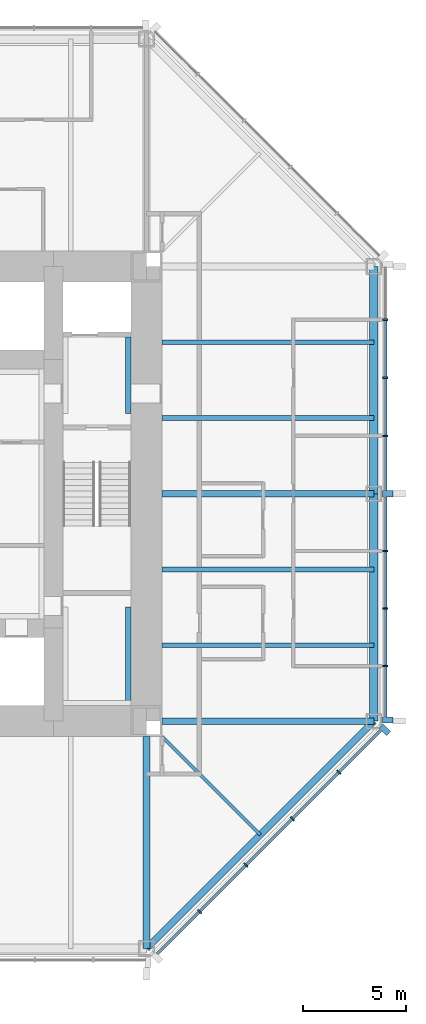
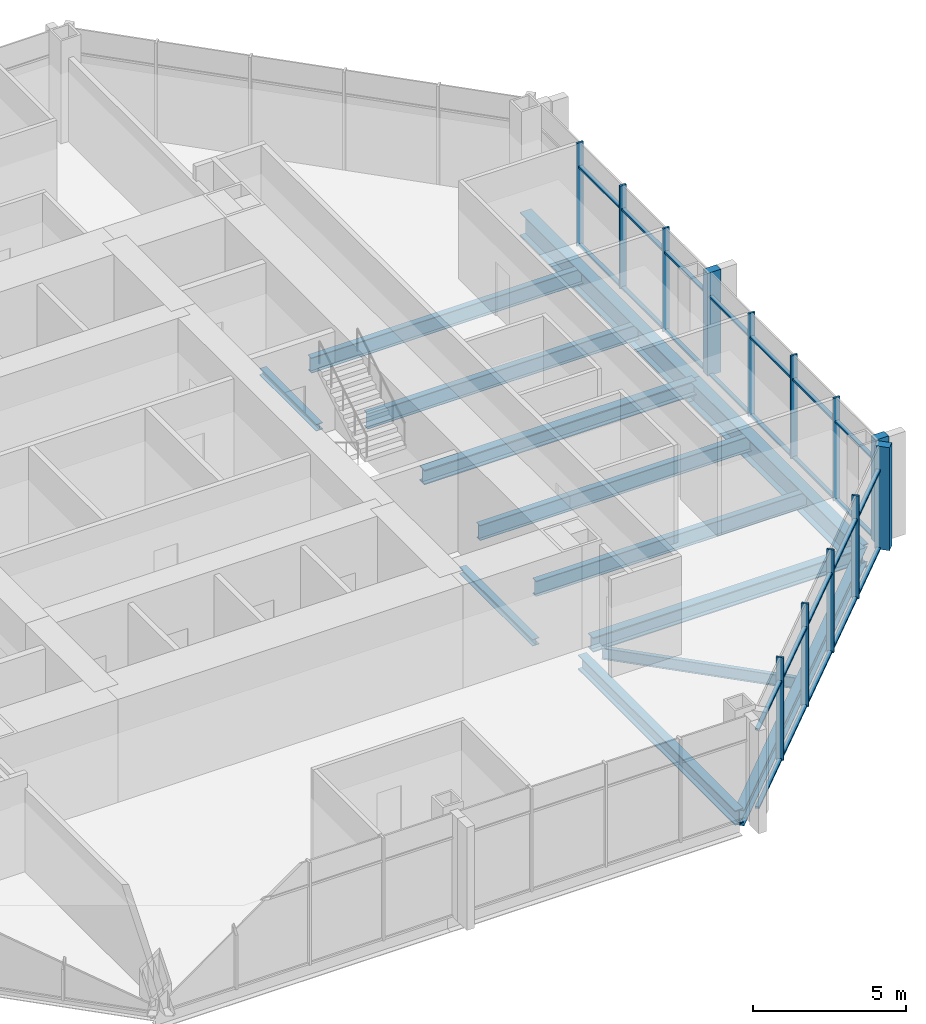
# One storey, part 4 of 12: 37 members, 13 beams, 2 elements without a shape of their own.
"""IFC4 building model written with IfcOpenShell, lengths in metres."""

from ifc_helpers import new_model, si_unit, direction, frame, origin, origin_2d, place, context, subcontext, project, spatial, rectangle, i_section, extrude, material, material_profile, profile_set, type_object, element, aggregate, save


model = new_model("IFC4")

# Units and contexts
model_context = context("Model", 3, precision=1e-05, world=origin(), true_north=direction((0.0, 1.0)))
body_context = subcontext(model_context, "Body", "Model", "MODEL_VIEW")
ifc_project = project(units=[si_unit("LENGTHUNIT", "METRE"), si_unit("AREAUNIT", "SQUARE_METRE"), si_unit("VOLUMEUNIT", "CUBIC_METRE"), si_unit("PLANEANGLEUNIT", "RADIAN"), si_unit("MASSUNIT", "GRAM", prefix="KILO")], contexts=[model_context])

# Site, building, storey
site_placement = place(None, origin())
site = spatial("IfcSite", under=ifc_project, at=site_placement, CompositionType="ELEMENT")
building_placement = place(site_placement, origin())
building = spatial("IfcBuilding", under=site, at=building_placement, Name="Trevanion Tower", CompositionType="ELEMENT")
storey_placement = place(building_placement, frame((0.0, 0.0, 125.39990234375)))
storey = spatial("IfcBuildingStorey", under=building, at=storey_placement, Name="L29", CompositionType="ELEMENT", Elevation=125.39990234375)

# Beams
ifc_material_1 = material(Name="Steel ASTM A992 Grade 50", Category="steel")
ifc_material_profile_1 = material_profile(ifc_material_1, i_section(OverallWidth=0.22900390625, OverallDepth=0.612060546875, WebThickness=0.011962890625, FlangeThickness=0.01953125, at=origin_2d()), Name="W24X84")
ifc_profile_set_1 = profile_set([ifc_material_profile_1], Name="Steel ASTM A992 Grade 50")
beam_type_1 = type_object("IfcBeamType", Name="B7 W24X84", PredefinedType="BEAM", material=ifc_profile_set_1)
for number, where, z_axis, x_axis, name in (
    (1, (11.75, -7.333251953125, -0.49609375), (1.0, 0.0, 0.0), (0.0, 1.0, 0.0), "B7 L29"),
    (2, (11.75, -3.666748046875, -0.49609375), (1.0, 0.0, 0.0), (0.0, 1.0, 0.0), "B7 L29"),
    (3, (11.75, 3.666748046875, -0.49609375), (1.0, 0.0, 0.0), (0.0, 1.0, 0.0), "B7 L29"),
    (4, (11.75, 7.333251953125, -0.49609375), (1.0, 0.0, 0.0), (0.0, 1.0, 0.0), "B7 L29"),
):
    element("IfcBeam", number, at=place(storey_placement, frame(where, z_axis=z_axis, x_axis=x_axis)), inside=storey, type_object=beam_type_1, Name=name, PredefinedType="BEAM", context=body_context, shape_type="SweptSolid", body=[
        extrude(i_section(OverallWidth=0.22900390625, OverallDepth=0.612060546875, WebThickness=0.011962890625, FlangeThickness=0.01953125, at=origin_2d()), origin(), (0.0, 0.0, 1.0), 10.25),
    ])
ifc_material_2 = material(Name="Steel ASTM A992 Grade 50", Category="steel")
ifc_material_profile_2 = material_profile(ifc_material_2, i_section(OverallWidth=0.15234375, OverallDepth=0.449462890625, WebThickness=0.007568359375, FlangeThickness=0.0107421875, at=origin_2d()), Name="W18X35")
ifc_profile_set_2 = profile_set([ifc_material_profile_2], Name="Steel ASTM A992 Grade 50")
beam_type_2 = type_object("IfcBeamType", Name="B8 W18X35", PredefinedType="BEAM", material=ifc_profile_set_2)
beam_1_placement = place(storey_placement, frame((11.75, -11.75, -0.414794921875), z_axis=(0.707106781187, -0.707106781187, 0.0), x_axis=(0.707106781187, 0.707106781187, 0.0)))
element("IfcBeam", 5, at=beam_1_placement, inside=storey, type_object=beam_type_2, Name="B8 L29", PredefinedType="BEAM", context=body_context, shape_type="SweptSolid", body=[
    extrude(i_section(OverallWidth=0.15234375, OverallDepth=0.449462890625, WebThickness=0.007568359375, FlangeThickness=0.0107421875, at=origin_2d()), origin(), (0.0, 0.0, 1.0), 6.717529296875),
])

# Curtain wall, members
ifc_material_3 = material(Name="Aluminium and glass", Category="aluminium")
curtain_wall_type = type_object("IfcCurtainWallType", Name="CW2 curtain wall", PredefinedType="USERDEFINED", material=ifc_material_3)
curtain_wall_1_placement = place(storey_placement, origin())
curtain_wall_1 = element("IfcCurtainWall", 6, at=curtain_wall_1_placement, inside=storey, type_object=curtain_wall_type, Name="CW2 L29 0", ObjectType="UNITISED CURTAIN WALL", PredefinedType="USERDEFINED")
ifc_material_4 = material(Name="Aluminium extrusion, anodised bronze", Category="aluminium")
ifc_material_profile_3 = material_profile(ifc_material_4, rectangle(XDim=0.074951171875, YDim=0.25, at=origin_2d()), Name="CW2 mullion")
ifc_profile_set_3 = profile_set([ifc_material_profile_3], Name="Aluminium extrusion, anodised bronze")
member_type_1 = type_object("IfcMemberType", Name="CW2 mullion", PredefinedType="MULLION", material=ifc_profile_set_3)
member_1_placement = place(storey_placement, frame((22.550048828125, -8.323486328125, -0.18994140625), z_axis=(0.0, 0.0, 1.0), x_axis=(0.0, 1.0, 0.0)))
member_1 = element("IfcMember", 7, at=member_1_placement, type_object=member_type_1, Name="CW2 mullion 2", PredefinedType="MULLION", context=body_context, shape_type="SweptSolid", body=[
    extrude(rectangle(XDim=0.074951171875, YDim=0.25, at=origin_2d()), origin(), (0.0, 0.0, 1.0), 4.10009765625),
])
member_2_placement = place(storey_placement, frame((22.550048828125, -5.548828125, -0.18994140625), z_axis=(0.0, 0.0, 1.0), x_axis=(0.0, 1.0, 0.0)))
member_2 = element("IfcMember", 8, at=member_2_placement, type_object=member_type_1, Name="CW2 mullion 3", PredefinedType="MULLION", context=body_context, shape_type="SweptSolid", body=[
    extrude(rectangle(XDim=0.074951171875, YDim=0.25, at=origin_2d()), origin(), (0.0, 0.0, 1.0), 4.10009765625),
])
member_3_placement = place(storey_placement, frame((22.550048828125, -2.7744140625, -0.18994140625), z_axis=(0.0, 0.0, 1.0), x_axis=(0.0, 1.0, 0.0)))
member_3 = element("IfcMember", 9, at=member_3_placement, type_object=member_type_1, Name="CW2 mullion 4", PredefinedType="MULLION", context=body_context, shape_type="SweptSolid", body=[
    extrude(rectangle(XDim=0.074951171875, YDim=0.25, at=origin_2d()), origin(), (0.0, 0.0, 1.0), 4.10009765625),
])
member_4_placement = place(storey_placement, frame((22.550048828125, 2.806884765625, -0.18994140625), z_axis=(0.0, 0.0, 1.0), x_axis=(0.0, 1.0, 0.0)))
member_4 = element("IfcMember", 10, at=member_4_placement, type_object=member_type_1, Name="CW2 mullion 6", PredefinedType="MULLION", context=body_context, shape_type="SweptSolid", body=[
    extrude(rectangle(XDim=0.074951171875, YDim=0.25, at=origin_2d()), origin(), (0.0, 0.0, 1.0), 4.10009765625),
])
member_5_placement = place(storey_placement, frame((22.550048828125, 5.614013671875, -0.18994140625), z_axis=(0.0, 0.0, 1.0), x_axis=(0.0, 1.0, 0.0)))
member_5 = element("IfcMember", 11, at=member_5_placement, type_object=member_type_1, Name="CW2 mullion 7", PredefinedType="MULLION", context=body_context, shape_type="SweptSolid", body=[
    extrude(rectangle(XDim=0.074951171875, YDim=0.25, at=origin_2d()), origin(), (0.0, 0.0, 1.0), 4.10009765625),
])
member_6_placement = place(storey_placement, frame((22.550048828125, 8.4208984375, -0.18994140625), z_axis=(0.0, 0.0, 1.0), x_axis=(0.0, 1.0, 0.0)))
member_6 = element("IfcMember", 12, at=member_6_placement, type_object=member_type_1, Name="CW2 mullion 8", PredefinedType="MULLION", context=body_context, shape_type="SweptSolid", body=[
    extrude(rectangle(XDim=0.074951171875, YDim=0.25, at=origin_2d()), origin(), (0.0, 0.0, 1.0), 4.10009765625),
])

curtain_wall_2_placement = place(storey_placement, origin())
curtain_wall_2 = element("IfcCurtainWall", 13, at=curtain_wall_2_placement, inside=storey, type_object=curtain_wall_type, Name="CW2 L29 7", ObjectType="UNITISED CURTAIN WALL", PredefinedType="USERDEFINED")
member_7_placement = place(storey_placement, frame((13.56591796875, -20.2119140625, -0.18994140625), z_axis=(0.0, 0.0, 1.0), x_axis=(0.707106781187, 0.707106781187, 0.0)))
member_7 = element("IfcMember", 14, at=member_7_placement, type_object=member_type_1, Name="CW2 mullion 2", PredefinedType="MULLION", context=body_context, shape_type="SweptSolid", body=[
    extrude(rectangle(XDim=0.074951171875, YDim=0.25, at=origin_2d()), origin(), (0.0, 0.0, 1.0), 4.10009765625),
])
member_8_placement = place(storey_placement, frame((15.811767578125, -17.966064453125, -0.18994140625), z_axis=(0.0, 0.0, 1.0), x_axis=(0.707106781187, 0.707106781187, 0.0)))
member_8 = element("IfcMember", 15, at=member_8_placement, type_object=member_type_1, Name="CW2 mullion 3", PredefinedType="MULLION", context=body_context, shape_type="SweptSolid", body=[
    extrude(rectangle(XDim=0.074951171875, YDim=0.25, at=origin_2d()), origin(), (0.0, 0.0, 1.0), 4.10009765625),
])
member_9_placement = place(storey_placement, frame((18.057861328125, -15.719970703125, -0.18994140625), z_axis=(0.0, 0.0, 1.0), x_axis=(0.707106781187, 0.707106781187, 0.0)))
member_9 = element("IfcMember", 16, at=member_9_placement, type_object=member_type_1, Name="CW2 mullion 4", PredefinedType="MULLION", context=body_context, shape_type="SweptSolid", body=[
    extrude(rectangle(XDim=0.074951171875, YDim=0.25, at=origin_2d()), origin(), (0.0, 0.0, 1.0), 4.10009765625),
])
member_10_placement = place(storey_placement, frame((20.303955078125, -13.473876953125, -0.18994140625), z_axis=(0.0, 0.0, 1.0), x_axis=(0.707106781187, 0.707106781187, 0.0)))
member_10 = element("IfcMember", 17, at=member_10_placement, type_object=member_type_1, Name="CW2 mullion 5", PredefinedType="MULLION", context=body_context, shape_type="SweptSolid", body=[
    extrude(rectangle(XDim=0.074951171875, YDim=0.25, at=origin_2d()), origin(), (0.0, 0.0, 1.0), 4.10009765625),
])

# Member
ifc_material_5 = material(Name="Aluminium extrusion, anodised bronze", Category="aluminium")
ifc_material_profile_4 = material_profile(ifc_material_5, rectangle(XDim=0.300048828125, YDim=0.5, at=origin_2d()), Name="CW2 pier mullion")
ifc_profile_set_4 = profile_set([ifc_material_profile_4], Name="Aluminium extrusion, anodised bronze")
member_type_2 = type_object("IfcMemberType", Name="CW2 pier mullion", PredefinedType="MULLION", material=ifc_profile_set_4)
member_11_placement = place(storey_placement, frame((22.675048828125, -10.94775390625, -0.18994140625), z_axis=(0.0, 0.0, 1.0), x_axis=(0.0, 1.0, 0.0)))
member_11 = element("IfcMember", 18, at=member_11_placement, type_object=member_type_2, Name="CW2 pier mullion 1", PredefinedType="MULLION", context=body_context, shape_type="SweptSolid", body=[
    extrude(rectangle(XDim=0.300048828125, YDim=0.5, at=origin_2d()), origin(), (0.0, 0.0, 1.0), 4.10009765625),
])

member_12_placement = place(storey_placement, frame((22.675048828125, 0.0, -0.18994140625), z_axis=(0.0, 0.0, 1.0), x_axis=(0.0, 1.0, 0.0)))
member_12 = element("IfcMember", 19, at=member_12_placement, type_object=member_type_2, Name="CW2 pier mullion 5", PredefinedType="MULLION", context=body_context, shape_type="SweptSolid", body=[
    extrude(rectangle(XDim=0.300048828125, YDim=0.5, at=origin_2d()), origin(), (0.0, 0.0, 1.0), 4.10009765625),
])

member_13_placement = place(storey_placement, frame((22.5322265625, -11.42236328125, -0.18994140625), z_axis=(0.0, 0.0, 1.0), x_axis=(0.707106781187, 0.707106781187, 0.0)))
member_13 = element("IfcMember", 20, at=member_13_placement, type_object=member_type_2, Name="CW2 pier mullion 6", PredefinedType="MULLION", context=body_context, shape_type="SweptSolid", body=[
    extrude(rectangle(XDim=0.300048828125, YDim=0.5, at=origin_2d()), origin(), (0.0, 0.0, 1.0), 4.10009765625),
])

ifc_material_6 = material(Name="Aluminium extrusion, anodised bronze", Category="aluminium")
ifc_material_profile_5 = material_profile(ifc_material_6, rectangle(XDim=0.14990234375, YDim=0.074951171875, at=origin_2d()), Name="CW2 transom")
ifc_profile_set_5 = profile_set([ifc_material_profile_5], Name="Aluminium extrusion, anodised bronze")
member_type_3 = type_object("IfcMemberType", Name="CW2 transom", PredefinedType="USERDEFINED", material=ifc_profile_set_5)
member_14_placement = place(storey_placement, frame((22.550048828125, -10.7978515625, -0.15234375), z_axis=(0.0, 1.0, 0.0), x_axis=(-1.0, 0.0, 0.0)))
member_14 = element("IfcMember", 21, at=member_14_placement, type_object=member_type_3, Name="CW2 transom 1.1", ObjectType="TRANSOM", PredefinedType="USERDEFINED", context=body_context, shape_type="SweptSolid", body=[
    extrude(rectangle(XDim=0.14990234375, YDim=0.074951171875, at=origin_2d()), origin(), (0.0, 0.0, 1.0), 2.43701171875),
])

member_15_placement = place(storey_placement, frame((22.550048828125, -10.7978515625, 2.960205078125), z_axis=(0.0, 1.0, 0.0), x_axis=(-1.0, 0.0, 0.0)))
member_15 = element("IfcMember", 22, at=member_15_placement, type_object=member_type_3, Name="CW2 transom 1.2", ObjectType="TRANSOM", PredefinedType="USERDEFINED", context=body_context, shape_type="SweptSolid", body=[
    extrude(rectangle(XDim=0.14990234375, YDim=0.074951171875, at=origin_2d()), origin(), (0.0, 0.0, 1.0), 2.43701171875),
])

member_16_placement = place(storey_placement, frame((22.550048828125, -8.285888671875, -0.15234375), z_axis=(0.0, 1.0, 0.0), x_axis=(-1.0, 0.0, 0.0)))
member_16 = element("IfcMember", 23, at=member_16_placement, type_object=member_type_3, Name="CW2 transom 2.1", ObjectType="TRANSOM", PredefinedType="USERDEFINED", context=body_context, shape_type="SweptSolid", body=[
    extrude(rectangle(XDim=0.14990234375, YDim=0.074951171875, at=origin_2d()), origin(), (0.0, 0.0, 1.0), 2.699462890625),
])

member_17_placement = place(storey_placement, frame((22.550048828125, -8.285888671875, 2.960205078125), z_axis=(0.0, 1.0, 0.0), x_axis=(-1.0, 0.0, 0.0)))
member_17 = element("IfcMember", 24, at=member_17_placement, type_object=member_type_3, Name="CW2 transom 2.2", ObjectType="TRANSOM", PredefinedType="USERDEFINED", context=body_context, shape_type="SweptSolid", body=[
    extrude(rectangle(XDim=0.14990234375, YDim=0.074951171875, at=origin_2d()), origin(), (0.0, 0.0, 1.0), 2.699462890625),
])

member_18_placement = place(storey_placement, frame((22.550048828125, -5.511474609375, -0.15234375), z_axis=(0.0, 1.0, 0.0), x_axis=(-1.0, 0.0, 0.0)))
member_18 = element("IfcMember", 25, at=member_18_placement, type_object=member_type_3, Name="CW2 transom 3.1", ObjectType="TRANSOM", PredefinedType="USERDEFINED", context=body_context, shape_type="SweptSolid", body=[
    extrude(rectangle(XDim=0.14990234375, YDim=0.074951171875, at=origin_2d()), origin(), (0.0, 0.0, 1.0), 2.699462890625),
])

member_19_placement = place(storey_placement, frame((22.550048828125, -5.511474609375, 2.960205078125), z_axis=(0.0, 1.0, 0.0), x_axis=(-1.0, 0.0, 0.0)))
member_19 = element("IfcMember", 26, at=member_19_placement, type_object=member_type_3, Name="CW2 transom 3.2", ObjectType="TRANSOM", PredefinedType="USERDEFINED", context=body_context, shape_type="SweptSolid", body=[
    extrude(rectangle(XDim=0.14990234375, YDim=0.074951171875, at=origin_2d()), origin(), (0.0, 0.0, 1.0), 2.699462890625),
])

member_20_placement = place(storey_placement, frame((22.550048828125, -2.737060546875, -0.15234375), z_axis=(0.0, 1.0, 0.0), x_axis=(-1.0, 0.0, 0.0)))
member_20 = element("IfcMember", 27, at=member_20_placement, type_object=member_type_3, Name="CW2 transom 4.1", ObjectType="TRANSOM", PredefinedType="USERDEFINED", context=body_context, shape_type="SweptSolid", body=[
    extrude(rectangle(XDim=0.14990234375, YDim=0.074951171875, at=origin_2d()), origin(), (0.0, 0.0, 1.0), 2.587158203125),
])

member_21_placement = place(storey_placement, frame((22.550048828125, -2.737060546875, 2.960205078125), z_axis=(0.0, 1.0, 0.0), x_axis=(-1.0, 0.0, 0.0)))
member_21 = element("IfcMember", 28, at=member_21_placement, type_object=member_type_3, Name="CW2 transom 4.2", ObjectType="TRANSOM", PredefinedType="USERDEFINED", context=body_context, shape_type="SweptSolid", body=[
    extrude(rectangle(XDim=0.14990234375, YDim=0.074951171875, at=origin_2d()), origin(), (0.0, 0.0, 1.0), 2.587158203125),
])

member_22_placement = place(storey_placement, frame((22.550048828125, 0.14990234375, -0.15234375), z_axis=(0.0, 1.0, 0.0), x_axis=(-1.0, 0.0, 0.0)))
member_22 = element("IfcMember", 29, at=member_22_placement, type_object=member_type_3, Name="CW2 transom 5.1", ObjectType="TRANSOM", PredefinedType="USERDEFINED", context=body_context, shape_type="SweptSolid", body=[
    extrude(rectangle(XDim=0.14990234375, YDim=0.074951171875, at=origin_2d()), origin(), (0.0, 0.0, 1.0), 2.619384765625),
])

member_23_placement = place(storey_placement, frame((22.550048828125, 0.14990234375, 2.960205078125), z_axis=(0.0, 1.0, 0.0), x_axis=(-1.0, 0.0, 0.0)))
member_23 = element("IfcMember", 30, at=member_23_placement, type_object=member_type_3, Name="CW2 transom 5.2", ObjectType="TRANSOM", PredefinedType="USERDEFINED", context=body_context, shape_type="SweptSolid", body=[
    extrude(rectangle(XDim=0.14990234375, YDim=0.074951171875, at=origin_2d()), origin(), (0.0, 0.0, 1.0), 2.619384765625),
])

member_24_placement = place(storey_placement, frame((22.550048828125, 2.844482421875, -0.15234375), z_axis=(0.0, 1.0, 0.0), x_axis=(-1.0, 0.0, 0.0)))
member_24 = element("IfcMember", 31, at=member_24_placement, type_object=member_type_3, Name="CW2 transom 6.1", ObjectType="TRANSOM", PredefinedType="USERDEFINED", context=body_context, shape_type="SweptSolid", body=[
    extrude(rectangle(XDim=0.14990234375, YDim=0.074951171875, at=origin_2d()), origin(), (0.0, 0.0, 1.0), 2.73193359375),
])

member_25_placement = place(storey_placement, frame((22.550048828125, 2.844482421875, 2.960205078125), z_axis=(0.0, 1.0, 0.0), x_axis=(-1.0, 0.0, 0.0)))
member_25 = element("IfcMember", 32, at=member_25_placement, type_object=member_type_3, Name="CW2 transom 6.2", ObjectType="TRANSOM", PredefinedType="USERDEFINED", context=body_context, shape_type="SweptSolid", body=[
    extrude(rectangle(XDim=0.14990234375, YDim=0.074951171875, at=origin_2d()), origin(), (0.0, 0.0, 1.0), 2.73193359375),
])

member_26_placement = place(storey_placement, frame((22.550048828125, 5.6513671875, -0.15234375), z_axis=(0.0, 1.0, 0.0), x_axis=(-1.0, 0.0, 0.0)))
member_26 = element("IfcMember", 33, at=member_26_placement, type_object=member_type_3, Name="CW2 transom 7.1", ObjectType="TRANSOM", PredefinedType="USERDEFINED", context=body_context, shape_type="SweptSolid", body=[
    extrude(rectangle(XDim=0.14990234375, YDim=0.074951171875, at=origin_2d()), origin(), (0.0, 0.0, 1.0), 2.73193359375),
])

member_27_placement = place(storey_placement, frame((22.550048828125, 5.6513671875, 2.960205078125), z_axis=(0.0, 1.0, 0.0), x_axis=(-1.0, 0.0, 0.0)))
member_27 = element("IfcMember", 34, at=member_27_placement, type_object=member_type_3, Name="CW2 transom 7.2", ObjectType="TRANSOM", PredefinedType="USERDEFINED", context=body_context, shape_type="SweptSolid", body=[
    extrude(rectangle(XDim=0.14990234375, YDim=0.074951171875, at=origin_2d()), origin(), (0.0, 0.0, 1.0), 2.73193359375),
])

aggregate(curtain_wall_1, [member_11, member_1, member_2, member_3, member_12, member_4, member_5, member_6, member_14, member_15, member_16, member_17, member_18, member_19, member_20, member_21, member_22, member_23, member_24, member_25, member_26, member_27])

member_28_placement = place(storey_placement, frame((11.531982421875, -22.245849609375, -0.15234375), z_axis=(0.707106781187, 0.707106781187, 0.0), x_axis=(-0.707106781187, 0.707106781187, 0.0)))
member_28 = element("IfcMember", 35, at=member_28_placement, type_object=member_type_3, Name="CW2 transom 1.1", ObjectType="TRANSOM", PredefinedType="USERDEFINED", context=body_context, shape_type="SweptSolid", body=[
    extrude(rectangle(XDim=0.14990234375, YDim=0.074951171875, at=origin_2d()), origin(), (0.0, 0.0, 1.0), 2.8388671875),
])

member_29_placement = place(storey_placement, frame((11.531982421875, -22.245849609375, 2.960205078125), z_axis=(0.707106781187, 0.707106781187, 0.0), x_axis=(-0.707106781187, 0.707106781187, 0.0)))
member_29 = element("IfcMember", 36, at=member_29_placement, type_object=member_type_3, Name="CW2 transom 1.2", ObjectType="TRANSOM", PredefinedType="USERDEFINED", context=body_context, shape_type="SweptSolid", body=[
    extrude(rectangle(XDim=0.14990234375, YDim=0.074951171875, at=origin_2d()), origin(), (0.0, 0.0, 1.0), 2.8388671875),
])

member_30_placement = place(storey_placement, frame((13.59228515625, -20.185546875, -0.15234375), z_axis=(0.707106781187, 0.707106781187, 0.0), x_axis=(-0.707106781187, 0.707106781187, 0.0)))
member_30 = element("IfcMember", 37, at=member_30_placement, type_object=member_type_3, Name="CW2 transom 2.1", ObjectType="TRANSOM", PredefinedType="USERDEFINED", context=body_context, shape_type="SweptSolid", body=[
    extrude(rectangle(XDim=0.14990234375, YDim=0.074951171875, at=origin_2d()), origin(), (0.0, 0.0, 1.0), 3.1015625),
])

member_31_placement = place(storey_placement, frame((13.59228515625, -20.185546875, 2.960205078125), z_axis=(0.707106781187, 0.707106781187, 0.0), x_axis=(-0.707106781187, 0.707106781187, 0.0)))
member_31 = element("IfcMember", 38, at=member_31_placement, type_object=member_type_3, Name="CW2 transom 2.2", ObjectType="TRANSOM", PredefinedType="USERDEFINED", context=body_context, shape_type="SweptSolid", body=[
    extrude(rectangle(XDim=0.14990234375, YDim=0.074951171875, at=origin_2d()), origin(), (0.0, 0.0, 1.0), 3.1015625),
])

member_32_placement = place(storey_placement, frame((15.83837890625, -17.939453125, -0.15234375), z_axis=(0.707106781187, 0.707106781187, 0.0), x_axis=(-0.707106781187, 0.707106781187, 0.0)))
member_32 = element("IfcMember", 39, at=member_32_placement, type_object=member_type_3, Name="CW2 transom 3.1", ObjectType="TRANSOM", PredefinedType="USERDEFINED", context=body_context, shape_type="SweptSolid", body=[
    extrude(rectangle(XDim=0.14990234375, YDim=0.074951171875, at=origin_2d()), origin(), (0.0, 0.0, 1.0), 3.1015625),
])

member_33_placement = place(storey_placement, frame((15.83837890625, -17.939453125, 2.960205078125), z_axis=(0.707106781187, 0.707106781187, 0.0), x_axis=(-0.707106781187, 0.707106781187, 0.0)))
member_33 = element("IfcMember", 40, at=member_33_placement, type_object=member_type_3, Name="CW2 transom 3.2", ObjectType="TRANSOM", PredefinedType="USERDEFINED", context=body_context, shape_type="SweptSolid", body=[
    extrude(rectangle(XDim=0.14990234375, YDim=0.074951171875, at=origin_2d()), origin(), (0.0, 0.0, 1.0), 3.1015625),
])

member_34_placement = place(storey_placement, frame((18.08447265625, -15.693359375, -0.15234375), z_axis=(0.707106781187, 0.707106781187, 0.0), x_axis=(-0.707106781187, 0.707106781187, 0.0)))
member_34 = element("IfcMember", 41, at=member_34_placement, type_object=member_type_3, Name="CW2 transom 4.1", ObjectType="TRANSOM", PredefinedType="USERDEFINED", context=body_context, shape_type="SweptSolid", body=[
    extrude(rectangle(XDim=0.14990234375, YDim=0.074951171875, at=origin_2d()), origin(), (0.0, 0.0, 1.0), 3.10107421875),
])

member_35_placement = place(storey_placement, frame((18.08447265625, -15.693359375, 2.960205078125), z_axis=(0.707106781187, 0.707106781187, 0.0), x_axis=(-0.707106781187, 0.707106781187, 0.0)))
member_35 = element("IfcMember", 42, at=member_35_placement, type_object=member_type_3, Name="CW2 transom 4.2", ObjectType="TRANSOM", PredefinedType="USERDEFINED", context=body_context, shape_type="SweptSolid", body=[
    extrude(rectangle(XDim=0.14990234375, YDim=0.074951171875, at=origin_2d()), origin(), (0.0, 0.0, 1.0), 3.10107421875),
])

member_36_placement = place(storey_placement, frame((20.33056640625, -13.447509765625, -0.15234375), z_axis=(0.707063781595, 0.707149778163, 0.0), x_axis=(-0.707149778163, 0.707063781595, 0.0)))
member_36 = element("IfcMember", 43, at=member_36_placement, type_object=member_type_3, Name="CW2 transom 5.1", ObjectType="TRANSOM", PredefinedType="USERDEFINED", context=body_context, shape_type="SweptSolid", body=[
    extrude(rectangle(XDim=0.14990234375, YDim=0.074951171875, at=origin_2d()), origin(), (0.0, 0.0, 1.0), 2.8388671875),
])

member_37_placement = place(storey_placement, frame((20.33056640625, -13.447509765625, 2.960205078125), z_axis=(0.707063781595, 0.707149778163, 0.0), x_axis=(-0.707149778163, 0.707063781595, 0.0)))
member_37 = element("IfcMember", 44, at=member_37_placement, type_object=member_type_3, Name="CW2 transom 5.2", ObjectType="TRANSOM", PredefinedType="USERDEFINED", context=body_context, shape_type="SweptSolid", body=[
    extrude(rectangle(XDim=0.14990234375, YDim=0.074951171875, at=origin_2d()), origin(), (0.0, 0.0, 1.0), 2.8388671875),
])

aggregate(curtain_wall_2, [member_7, member_8, member_9, member_10, member_13, member_28, member_29, member_30, member_31, member_32, member_33, member_34, member_35, member_36, member_37])

# Beams
ifc_material_7 = material(Name="Steel ASTM A992 Grade 50", Category="steel")
ifc_material_profile_6 = material_profile(ifc_material_7, i_section(OverallWidth=0.320068359375, OverallDepth=0.584228515625, WebThickness=0.023193359375, FlangeThickness=0.04150390625, at=origin_2d()), Name="W21X201")
ifc_profile_set_6 = profile_set([ifc_material_profile_6], Name="Steel ASTM A992 Grade 50")
beam_type_3 = type_object("IfcBeamType", Name="G4 W21X201", PredefinedType="BEAM", material=ifc_profile_set_6)
for number, where, z_axis, x_axis, name in (
    (45, (11.75, -11.0, -0.48193359375), (1.0, 0.0, 0.0), (0.0, 1.0, 0.0), "G4 L29"),
    (46, (11.75, 0.0, -0.48193359375), (1.0, 0.0, 0.0), (0.0, 1.0, 0.0), "G4 L29"),
    (47, (11.0, -11.75, -0.48193359375), (0.0, -1.0, 0.0), (1.0, 0.0, 0.0), "G4 L29"),
):
    element("IfcBeam", number, at=place(storey_placement, frame(where, z_axis=z_axis, x_axis=x_axis)), inside=storey, type_object=beam_type_3, Name=name, PredefinedType="BEAM", context=body_context, shape_type="SweptSolid", body=[
        extrude(i_section(OverallWidth=0.320068359375, OverallDepth=0.584228515625, WebThickness=0.023193359375, FlangeThickness=0.04150390625, at=origin_2d()), origin(), (0.0, 0.0, 1.0), 10.25),
    ])
ifc_material_8 = material(Name="Steel ASTM A992 Grade 50", Category="steel")
ifc_material_profile_7 = material_profile(ifc_material_8, i_section(OverallWidth=0.256591796875, OverallDepth=0.26416015625, WebThickness=0.011962890625, FlangeThickness=0.01953125, at=origin_2d()), Name="W10X68")
ifc_profile_set_7 = profile_set([ifc_material_profile_7], Name="Steel ASTM A992 Grade 50")
beam_type_4 = type_object("IfcBeamType", Name="LB1 W10X68", PredefinedType="BEAM", material=ifc_profile_set_7)
beam_2_placement = place(storey_placement, frame((10.12158203125, 3.875, -0.33203125), z_axis=(0.0, 1.0, 0.0), x_axis=(-1.0, 0.0, 0.0)))
element("IfcBeam", 48, at=beam_2_placement, inside=storey, type_object=beam_type_4, Name="LB1 L29", PredefinedType="BEAM", context=body_context, shape_type="SweptSolid", body=[
    extrude(i_section(OverallWidth=0.256591796875, OverallDepth=0.26416015625, WebThickness=0.011962890625, FlangeThickness=0.01953125, at=origin_2d()), origin(), (0.0, 0.0, 1.0), 3.699951171875),
])
beam_3_placement = place(storey_placement, frame((10.12158203125, -10.25, -0.33203125), z_axis=(0.0, 1.0, 0.0), x_axis=(-1.0, 0.0, 0.0)))
element("IfcBeam", 49, at=beam_3_placement, inside=storey, type_object=beam_type_4, Name="LB1 L29", PredefinedType="BEAM", context=body_context, shape_type="SweptSolid", body=[
    extrude(i_section(OverallWidth=0.256591796875, OverallDepth=0.26416015625, WebThickness=0.011962890625, FlangeThickness=0.01953125, at=origin_2d()), origin(), (0.0, 0.0, 1.0), 4.77490234375),
])
ifc_material_9 = material(Name="Steel ASTM A992 Grade 50", Category="steel")
ifc_material_profile_8 = material_profile(ifc_material_9, i_section(OverallWidth=0.419189453125, OverallDepth=0.927001953125, WebThickness=0.019287109375, FlangeThickness=0.031982421875, at=origin_2d()), Name="W36X231")
ifc_profile_set_8 = profile_set([ifc_material_profile_8], Name="Steel ASTM A992 Grade 50")
beam_type_5 = type_object("IfcBeamType", Name="SB4 W36X231", PredefinedType="SPANDREL", material=ifc_profile_set_8)
for number, where, z_axis, x_axis, name in (
    (50, (22.0, -11.0, -0.6533203125), (0.0, 1.0, 0.0), (-1.0, 0.0, 0.0), "SB4 L29"),
    (51, (22.0, 0.0, -0.6533203125), (0.0, 1.0, 0.0), (-1.0, 0.0, 0.0), "SB4 L29"),
):
    element("IfcBeam", number, at=place(storey_placement, frame(where, z_axis=z_axis, x_axis=x_axis)), inside=storey, type_object=beam_type_5, Name=name, PredefinedType="SPANDREL", context=body_context, shape_type="SweptSolid", body=[
        extrude(i_section(OverallWidth=0.419189453125, OverallDepth=0.927001953125, WebThickness=0.019287109375, FlangeThickness=0.031982421875, at=origin_2d()), origin(), (0.0, 0.0, 1.0), 11.0),
    ])
ifc_material_10 = material(Name="Steel ASTM A992 Grade 50", Category="steel")
ifc_material_profile_9 = material_profile(ifc_material_10, i_section(OverallWidth=0.32763671875, OverallDepth=0.62744140625, WebThickness=0.0166015625, FlangeThickness=0.027587890625, at=origin_2d()), Name="W24X146")
ifc_profile_set_9 = profile_set([ifc_material_profile_9], Name="Steel ASTM A992 Grade 50")
beam_type_6 = type_object("IfcBeamType", Name="SB5 W24X146", PredefinedType="SPANDREL", material=ifc_profile_set_9)
beam_4_placement = place(storey_placement, frame((11.0, -22.0, -0.503662109375), z_axis=(0.707106781187, 0.707106781187, 0.0), x_axis=(-0.707106781187, 0.707106781187, 0.0)))
element("IfcBeam", 52, at=beam_4_placement, inside=storey, type_object=beam_type_6, Name="SB5 L29", PredefinedType="SPANDREL", context=body_context, shape_type="SweptSolid", body=[
    extrude(i_section(OverallWidth=0.32763671875, OverallDepth=0.62744140625, WebThickness=0.0166015625, FlangeThickness=0.027587890625, at=origin_2d()), origin(), (0.0, 0.0, 1.0), 15.556396484375),
])

save(model, "model.ifc")
